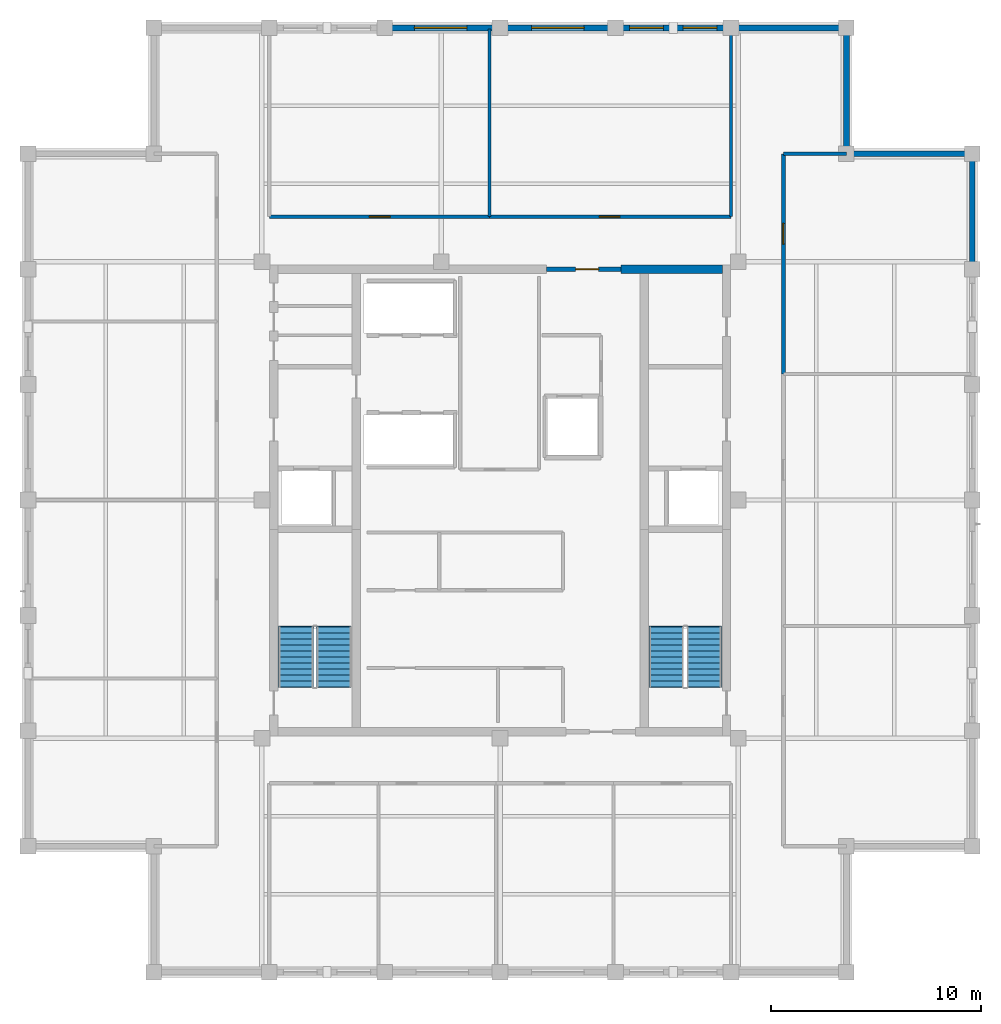
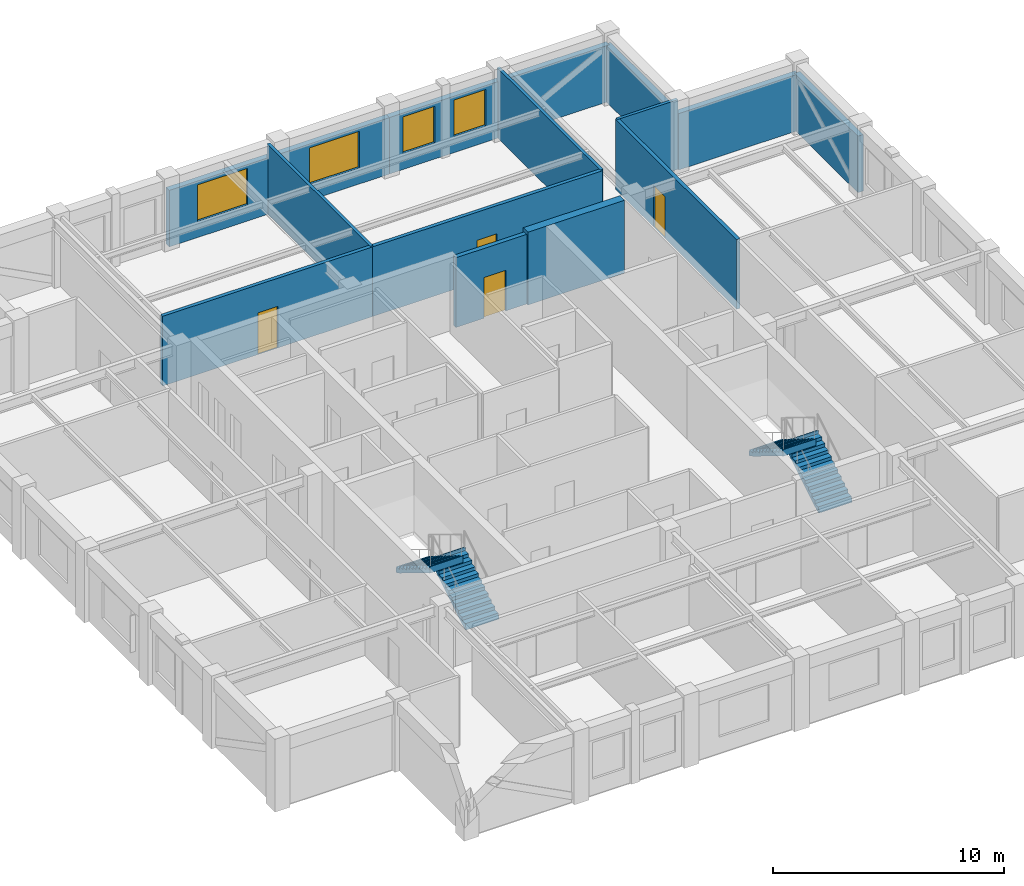
# One storey, part 8 of 9: 15 walls, 4 doors, 4 stair flights, 4 windows, 8 openings, 2 elements without a shape of their own.
"""IFC4 building model written with IfcOpenShell, lengths in metres."""

from ifc_helpers import new_model, si_unit, direction, frame, frame_2d, origin, place, context, subcontext, project, spatial, polyline, rectangle, outline, extrude, material, layer, layer_set, type_object, element, fill, aggregate, save


model = new_model("IFC4")

# Units and contexts
model_context = context("Model", 3, precision=1e-05, world=origin(), true_north=direction((0.0, 1.0)))
body_context = subcontext(model_context, "Body", "Model", "MODEL_VIEW")
ifc_project = project(units=[si_unit("LENGTHUNIT", "METRE"), si_unit("AREAUNIT", "SQUARE_METRE"), si_unit("VOLUMEUNIT", "CUBIC_METRE"), si_unit("PLANEANGLEUNIT", "RADIAN"), si_unit("MASSUNIT", "GRAM", prefix="KILO")], contexts=[model_context])

# Site, building, storey
site_placement = place(None, origin())
site = spatial("IfcSite", under=ifc_project, at=site_placement, CompositionType="ELEMENT")
building_placement = place(site_placement, origin())
building = spatial("IfcBuilding", under=site, at=building_placement, Name="Nhamokura Convention Tower", CompositionType="ELEMENT")
storey_placement = place(building_placement, frame((0.0, 0.0, 269.85009765625)))
storey = spatial("IfcBuildingStorey", under=building, at=storey_placement, Name="L66", CompositionType="ELEMENT", Elevation=269.85009765625)

# Wall, opening, window
ifc_material_1 = material(Name="Bronze-pigmented precast concrete C45/55", Category="concrete")
ifc_layer_1 = layer(ifc_material_1, 0.280029296875)
ifc_layer_set_1 = layer_set([ifc_layer_1], Name="BronzePrecastSpandrel_280")
wall_type_1 = type_object("IfcWallType", Name="BronzePrecastSpandrel_280", PredefinedType="USERDEFINED", material=ifc_layer_set_1)
wall_1_placement = place(storey_placement, frame((26.5, 54.5, 0.0), z_axis=(0.0, 0.0, 1.0), x_axis=(1.0, 0.0, 0.0)))
wall_1 = element("IfcWall", 1, at=wall_1_placement, inside=storey, type_object=wall_type_1, Name="L66 Masonry-Frame Wall NORTH 2", ObjectType="SPANDREL_WALL", PredefinedType="USERDEFINED", context=body_context, shape_type="SweptSolid", body=[
    extrude(rectangle(XDim=5.5, YDim=0.280029296875, at=frame_2d((2.75, 0.0))), origin(), (0.0, 0.0, 1.0), 2.98486328125),
])
opening_1_placement = place(wall_1_placement, frame((1.41259765625, 0.0, 0.85009765625)))
opening_1 = element("IfcOpeningElement", 2, at=opening_1_placement, cuts=wall_1, Name="Opening W-09", PredefinedType="OPENING", context=body_context, shape_type="SweptSolid", body=[
    extrude(rectangle(XDim=2.5, YDim=1.93505859375, at=frame_2d((1.25, 0.967529296875))), frame((0.0, 0.14990234375, 0.0), z_axis=(0.0, -1.0, 0.0), x_axis=(1.0, 0.0, 0.0)), (0.0, 0.0, 1.0), 0.300048828125),
])
ifc_material_2 = material(Name="Solar-control bronze low-E double glass", Category="glass")
window_type_1 = type_object("IfcWindowType", Name="SummitWindow_Z4_2500", PartitioningType="DOUBLE_PANEL_VERTICAL", PredefinedType="WINDOW", material=ifc_material_2)
window_1_placement = place(opening_1_placement, origin())
window_1 = element("IfcWindow", 3, at=window_1_placement, inside=storey, type_object=window_type_1, Name="L66 Facade Window NORTH 2", OverallHeight=1.93505859375, OverallWidth=2.5, PartitioningType="SINGLE_PANEL", PredefinedType="WINDOW", context=body_context, shape_type="SweptSolid", body=[
    extrude(rectangle(XDim=2.5, YDim=1.93505859375, at=frame_2d((1.25, 0.967529296875))), frame((0.0, 0.030029296875, 0.0), z_axis=(0.0, -1.0, 0.0), x_axis=(1.0, 0.0, 0.0)), (0.0, 0.0, 1.0), 0.06005859375),
])
fill(opening_1, window_1)

wall_2_placement = place(storey_placement, frame((32.0, 54.5, 0.0), z_axis=(0.0, 0.0, 1.0), x_axis=(1.0, 0.0, 0.0)))
wall_2 = element("IfcWall", 4, at=wall_2_placement, inside=storey, type_object=wall_type_1, Name="L66 Masonry-Frame Wall NORTH 3", ObjectType="SPANDREL_WALL", PredefinedType="USERDEFINED", context=body_context, shape_type="SweptSolid", body=[
    extrude(rectangle(XDim=5.5, YDim=0.280029296875, at=frame_2d((2.75, 0.0))), origin(), (0.0, 0.0, 1.0), 2.98486328125),
])
opening_2_placement = place(wall_2_placement, frame((1.5, 0.0, 0.85009765625)))
opening_2 = element("IfcOpeningElement", 5, at=opening_2_placement, cuts=wall_2, Name="Opening W-09", PredefinedType="OPENING", context=body_context, shape_type="SweptSolid", body=[
    extrude(rectangle(XDim=2.5, YDim=1.93505859375, at=frame_2d((1.25, 0.967529296875))), frame((0.0, 0.14990234375, 0.0), z_axis=(0.0, -1.0, 0.0), x_axis=(1.0, 0.0, 0.0)), (0.0, 0.0, 1.0), 0.300048828125),
])
window_2_placement = place(opening_2_placement, origin())
window_2 = element("IfcWindow", 6, at=window_2_placement, inside=storey, type_object=window_type_1, Name="L66 Facade Window NORTH 3", OverallHeight=1.93505859375, OverallWidth=2.5, PartitioningType="SINGLE_PANEL", PredefinedType="WINDOW", context=body_context, shape_type="SweptSolid", body=[
    extrude(rectangle(XDim=2.5, YDim=1.93505859375, at=frame_2d((1.25, 0.967529296875))), frame((0.0, 0.030029296875, 0.0), z_axis=(0.0, -1.0, 0.0), x_axis=(1.0, 0.0, 0.0)), (0.0, 0.0, 1.0), 0.06005859375),
])
fill(opening_2, window_2)

# Wall, openings, windows
wall_3_placement = place(storey_placement, frame((37.5, 54.5, 0.0), z_axis=(0.0, 0.0, 1.0), x_axis=(1.0, 0.0, 0.0)))
wall_3 = element("IfcWall", 7, at=wall_3_placement, inside=storey, type_object=wall_type_1, Name="L66 Masonry-Frame Wall NORTH 4", ObjectType="SPANDREL_WALL", PredefinedType="USERDEFINED", context=body_context, shape_type="SweptSolid", body=[
    extrude(rectangle(XDim=5.5, YDim=0.280029296875, at=frame_2d((2.75, 0.0))), origin(), (0.0, 0.0, 1.0), 2.98486328125),
])
opening_3_placement = place(wall_3_placement, frame((0.675048828125, 0.0, 0.85009765625)))
opening_3 = element("IfcOpeningElement", 8, at=opening_3_placement, cuts=wall_3, Name="Opening W-11", PredefinedType="OPENING", context=body_context, shape_type="SweptSolid", body=[
    extrude(rectangle(XDim=1.60009765625, YDim=1.93505859375, at=frame_2d((0.800048828125, 0.967529296875))), frame((0.0, 0.14990234375, 0.0), z_axis=(0.0, -1.0, 0.0), x_axis=(1.0, 0.0, 0.0)), (0.0, 0.0, 1.0), 0.300048828125),
])
opening_4_placement = place(wall_3_placement, frame((3.22509765625, 0.0, 0.85009765625)))
opening_4 = element("IfcOpeningElement", 9, at=opening_4_placement, cuts=wall_3, Name="Opening W-11", PredefinedType="OPENING", context=body_context, shape_type="SweptSolid", body=[
    extrude(rectangle(XDim=1.60009765625, YDim=1.93505859375, at=frame_2d((0.800048828125, 0.967529296875))), frame((0.0, 0.14990234375, 0.0), z_axis=(0.0, -1.0, 0.0), x_axis=(1.0, 0.0, 0.0)), (0.0, 0.0, 1.0), 0.300048828125),
])
ifc_material_3 = material(Name="Solar-control bronze low-E double glass", Category="glass")
window_type_2 = type_object("IfcWindowType", Name="NotchCornerWindow_1600", PartitioningType="SINGLE_PANEL", PredefinedType="WINDOW", material=ifc_material_3)
window_3_placement = place(opening_3_placement, origin())
window_3 = element("IfcWindow", 10, at=window_3_placement, inside=storey, type_object=window_type_2, Name="L66 Facade Window NORTH 4-1", OverallHeight=1.93505859375, OverallWidth=1.60009765625, PartitioningType="SINGLE_PANEL", PredefinedType="WINDOW", context=body_context, shape_type="SweptSolid", body=[
    extrude(rectangle(XDim=1.60009765625, YDim=1.93505859375, at=frame_2d((0.800048828125, 0.967529296875))), frame((0.0, 0.030029296875, 0.0), z_axis=(0.0, -1.0, 0.0), x_axis=(1.0, 0.0, 0.0)), (0.0, 0.0, 1.0), 0.06005859375),
])
fill(opening_3, window_3)
window_4_placement = place(opening_4_placement, origin())
window_4 = element("IfcWindow", 11, at=window_4_placement, inside=storey, type_object=window_type_2, Name="L66 Facade Window NORTH 4-2", OverallHeight=1.93505859375, OverallWidth=1.60009765625, PartitioningType="SINGLE_PANEL", PredefinedType="WINDOW", context=body_context, shape_type="SweptSolid", body=[
    extrude(rectangle(XDim=1.60009765625, YDim=1.93505859375, at=frame_2d((0.800048828125, 0.967529296875))), frame((0.0, 0.030029296875, 0.0), z_axis=(0.0, -1.0, 0.0), x_axis=(1.0, 0.0, 0.0)), (0.0, 0.0, 1.0), 0.06005859375),
])
fill(opening_4, window_4)

# Walls
for number, where, z_axis, x_axis, name in (
    (12, (43.0, 54.5, 0.0), (0.0, 0.0, 1.0), (1.0, 0.0, 0.0), "L66 Braced-Bay Precast Wall NORTH 5"),
    (13, (54.5, 48.5, 0.0), (0.0, 0.0, 1.0), (0.0, -1.0, 0.0), "L66 Braced-Bay Precast Wall EAST 5"),
):
    element("IfcWall", number, at=place(storey_placement, frame(where, z_axis=z_axis, x_axis=x_axis)), inside=storey, type_object=wall_type_1, Name=name, ObjectType="SPANDREL_WALL", PredefinedType="USERDEFINED", context=body_context, shape_type="SweptSolid", body=[
        extrude(rectangle(XDim=5.5, YDim=0.280029296875, at=frame_2d((2.75, 0.0))), origin(), (0.0, 0.0, 1.0), 2.98486328125),
    ])
for number, where, z_axis, x_axis, name in (
    (14, (48.5, 48.5, 0.0), (0.0, 0.0, 1.0), (1.0, 0.0, 0.0), "L66 Notched Corner Wall NE1"),
    (15, (48.5, 54.5, 0.0), (0.0, 0.0, 1.0), (0.0, -1.0, 0.0), "L66 Notched Corner Wall NE2"),
):
    element("IfcWall", number, at=place(storey_placement, frame(where, z_axis=z_axis, x_axis=x_axis)), inside=storey, type_object=wall_type_1, Name=name, ObjectType="SPANDREL_WALL", PredefinedType="USERDEFINED", context=body_context, shape_type="SweptSolid", body=[
        extrude(rectangle(XDim=6.0, YDim=0.280029296875, at=frame_2d((3.0, 0.0))), origin(), (0.0, 0.0, 1.0), 2.98486328125),
    ])
ifc_material_4 = material(Name="Concrete C50/60", Category="concrete")
ifc_layer_2 = layer(ifc_material_4, 0.39990234375)
ifc_layer_set_2 = layer_set([ifc_layer_2], Name="CoreShearWall_400")
wall_type_2 = type_object("IfcWallType", Name="CoreShearWall_400", PredefinedType="SHEAR", material=ifc_layer_set_2)
wall_4_placement = place(storey_placement, frame((37.75, 43.0, 0.0), z_axis=(0.0, 0.0, 1.0), x_axis=(1.0, 0.0, 0.0)))
element("IfcWall", 16, at=wall_4_placement, inside=storey, type_object=wall_type_2, Name="L66 Core Shear Wall CW-N2", PredefinedType="SHEAR", context=body_context, shape_type="SweptSolid", body=[
    extrude(rectangle(XDim=4.840087890625, YDim=0.39990234375, at=frame_2d((2.419921875, 0.0))), origin(), (0.0, 0.0, 1.0), 3.849853515625),
])

# Wall, opening, door
ifc_material_5 = material(Name="Fire-rated gypsum and masonry partition", Category="masonry")
ifc_layer_3 = layer(ifc_material_5, 0.179931640625)
ifc_layer_set_3 = layer_set([ifc_layer_3], Name="CorridorRatedWall_180")
wall_type_3 = type_object("IfcWallType", Name="CorridorRatedWall_180", PredefinedType="STANDARD", material=ifc_layer_set_3)
wall_5_placement = place(storey_placement, frame((21.0, 45.5, 0.0), z_axis=(0.0, 0.0, 1.0), x_axis=(1.0, 0.0, 0.0)))
wall_5 = element("IfcWall", 17, at=wall_5_placement, inside=storey, type_object=wall_type_3, Name="L66 Wall INT-L66-CW-N00", PredefinedType="STANDARD", context=body_context, shape_type="SweptSolid", body=[
    extrude(rectangle(XDim=10.5, YDim=0.179931640625, at=frame_2d((5.25, 0.0))), origin(), (0.0, 0.0, 1.0), 3.684814453125),
])
opening_5_placement = place(wall_5_placement, frame((4.77490234375, 0.0, 0.0)))
opening_5 = element("IfcOpeningElement", 18, at=opening_5_placement, cuts=wall_5, Name="Opening D-08", PredefinedType="OPENING", context=body_context, shape_type="SweptSolid", body=[
    extrude(rectangle(XDim=0.97998046875, YDim=2.199951171875, at=frame_2d((0.489990234375, 1.10009765625))), frame((0.0, 0.099853515625, 0.0), z_axis=(0.0, -1.0, 0.0), x_axis=(1.0, 0.0, 0.0)), (0.0, 0.0, 1.0), 0.199951171875),
])
ifc_material_6 = material(Name="Solid oak hardwood", Category="wood")
door_type_1 = type_object("IfcDoorType", Name="OfficeEntryDoor_980", OperationType="NOTDEFINED", PredefinedType="DOOR", material=ifc_material_6)
door_1_placement = place(opening_5_placement, origin())
door_1 = element("IfcDoor", 19, at=door_1_placement, inside=storey, type_object=door_type_1, Name="L66 Meeting Room N01 Door", OperationType="SINGLE_SWING_LEFT", OverallHeight=2.199951171875, OverallWidth=0.97998046875, PredefinedType="DOOR", context=body_context, shape_type="SweptSolid", body=[
    extrude(rectangle(XDim=0.97998046875, YDim=2.199951171875, at=frame_2d((0.489990234375, 1.10009765625))), frame((0.0, 0.02490234375, 0.0), z_axis=(0.0, -1.0, 0.0), x_axis=(1.0, 0.0, 0.0)), (0.0, 0.0, 1.0), 0.050048828125),
])
fill(opening_5, door_1)

wall_6_placement = place(storey_placement, frame((31.5, 45.5, 0.0), z_axis=(0.0, 0.0, 1.0), x_axis=(1.0, 0.0, 0.0)))
wall_6 = element("IfcWall", 20, at=wall_6_placement, inside=storey, type_object=wall_type_3, Name="L66 Wall INT-L66-CW-N01", PredefinedType="STANDARD", context=body_context, shape_type="SweptSolid", body=[
    extrude(rectangle(XDim=11.5, YDim=0.179931640625, at=frame_2d((5.75, 0.0))), origin(), (0.0, 0.0, 1.0), 3.684814453125),
])
opening_6_placement = place(wall_6_placement, frame((5.22509765625, 0.0, 0.0)))
opening_6 = element("IfcOpeningElement", 21, at=opening_6_placement, cuts=wall_6, Name="Opening D-08", PredefinedType="OPENING", context=body_context, shape_type="SweptSolid", body=[
    extrude(rectangle(XDim=0.97998046875, YDim=2.199951171875, at=frame_2d((0.489990234375, 1.10009765625))), frame((0.0, 0.099853515625, 0.0), z_axis=(0.0, -1.0, 0.0), x_axis=(1.0, 0.0, 0.0)), (0.0, 0.0, 1.0), 0.199951171875),
])
door_2_placement = place(opening_6_placement, origin())
door_2 = element("IfcDoor", 22, at=door_2_placement, inside=storey, type_object=door_type_1, Name="L66 Reference Library N02 Door", OperationType="SINGLE_SWING_RIGHT", OverallHeight=2.199951171875, OverallWidth=0.97998046875, PredefinedType="DOOR", context=body_context, shape_type="SweptSolid", body=[
    extrude(rectangle(XDim=0.97998046875, YDim=2.199951171875, at=frame_2d((0.489990234375, 1.10009765625))), frame((0.0, 0.02490234375, 0.0), z_axis=(0.0, -1.0, 0.0), x_axis=(1.0, 0.0, 0.0)), (0.0, 0.0, 1.0), 0.050048828125),
])
fill(opening_6, door_2)

wall_7_placement = place(storey_placement, frame((45.5, 38.0, 0.0), z_axis=(0.0, 0.0, 1.0), x_axis=(0.0, 1.0, 0.0)))
wall_7 = element("IfcWall", 23, at=wall_7_placement, inside=storey, type_object=wall_type_3, Name="L66 Wall INT-L66-CW-E02", PredefinedType="STANDARD", context=body_context, shape_type="SweptSolid", body=[
    extrude(rectangle(XDim=10.5, YDim=0.179931640625, at=frame_2d((5.25, 0.0))), origin(), (0.0, 0.0, 1.0), 3.684814453125),
])
opening_7_placement = place(wall_7_placement, frame((6.199951171875, 0.0, 0.0)))
opening_7 = element("IfcOpeningElement", 24, at=opening_7_placement, cuts=wall_7, Name="Opening D-08", PredefinedType="OPENING", context=body_context, shape_type="SweptSolid", body=[
    extrude(rectangle(XDim=0.97998046875, YDim=2.199951171875, at=frame_2d((0.489990234375, 1.10009765625))), frame((0.0, 0.099853515625, 0.0), z_axis=(0.0, -1.0, 0.0), x_axis=(1.0, 0.0, 0.0)), (0.0, 0.0, 1.0), 0.199951171875),
])
door_3_placement = place(opening_7_placement, origin())
door_3 = element("IfcDoor", 25, at=door_3_placement, inside=storey, type_object=door_type_1, Name="L66 Private Office E03 Door", OperationType="SINGLE_SWING_LEFT", OverallHeight=2.199951171875, OverallWidth=0.97998046875, PredefinedType="DOOR", context=body_context, shape_type="SweptSolid", body=[
    extrude(rectangle(XDim=0.97998046875, YDim=2.199951171875, at=frame_2d((0.489990234375, 1.10009765625))), frame((0.0, 0.02490234375, 0.0), z_axis=(0.0, -1.0, 0.0), x_axis=(1.0, 0.0, 0.0)), (0.0, 0.0, 1.0), 0.050048828125),
])
fill(opening_7, door_3)

ifc_material_7 = material(Name="Autoclaved concrete blockwork", Category="masonry")
ifc_layer_4 = layer(ifc_material_7, 0.219970703125)
ifc_layer_set_4 = layer_set([ifc_layer_4], Name="FireLobbyWall_220")
wall_type_4 = type_object("IfcWallType", Name="FireLobbyWall_220", PredefinedType="STANDARD", material=ifc_layer_set_4)
wall_8_placement = place(storey_placement, frame((34.199951171875, 43.0, 0.0), z_axis=(0.0, 0.0, 1.0), x_axis=(1.0, 0.0, 0.0)))
wall_8 = element("IfcWall", 26, at=wall_8_placement, inside=storey, type_object=wall_type_4, Name="L66 Wall INT-L66-CPORT-N", PredefinedType="STANDARD", context=body_context, shape_type="SweptSolid", body=[
    extrude(rectangle(XDim=3.550048828125, YDim=0.219970703125, at=frame_2d((1.77490234375, 0.0))), origin(), (0.0, 0.0, 1.0), 3.684814453125),
])
opening_8_placement = place(wall_8_placement, frame((1.39990234375, 0.0, 0.0)))
opening_8 = element("IfcOpeningElement", 27, at=opening_8_placement, cuts=wall_8, Name="Opening D-05", PredefinedType="OPENING", context=body_context, shape_type="SweptSolid", body=[
    extrude(rectangle(XDim=1.10009765625, YDim=2.14990234375, at=frame_2d((0.550048828125, 1.074951171875))), frame((0.0, 0.119873046875, 0.0), z_axis=(0.0, -1.0, 0.0), x_axis=(1.0, 0.0, 0.0)), (0.0, 0.0, 1.0), 0.239990234375),
])
ifc_material_8 = material(Name="Fire-rated steel door", Category="steel")
door_type_2 = type_object("IfcDoorType", Name="FireLobbyDoor_1100", OperationType="NOTDEFINED", PredefinedType="DOOR", material=ifc_material_8)
door_4_placement = place(opening_8_placement, origin())
door_4 = element("IfcDoor", 28, at=door_4_placement, inside=storey, type_object=door_type_2, Name="L66 North Core Lobby Portal Door", OperationType="SINGLE_SWING_RIGHT", OverallHeight=2.14990234375, OverallWidth=1.10009765625, PredefinedType="DOOR", context=body_context, shape_type="SweptSolid", body=[
    extrude(rectangle(XDim=1.10009765625, YDim=2.14990234375, at=frame_2d((0.550048828125, 1.074951171875))), frame((0.0, 0.02490234375, 0.0), z_axis=(0.0, -1.0, 0.0), x_axis=(1.0, 0.0, 0.0)), (0.0, 0.0, 1.0), 0.050048828125),
])
fill(opening_8, door_4)

# Walls
ifc_material_9 = material(Name="Acoustic gypsum stud partition", Category="masonry")
ifc_layer_5 = layer(ifc_material_9, 0.14990234375)
ifc_layer_set_5 = layer_set([ifc_layer_5], Name="InteriorPartition_150")
wall_type_5 = type_object("IfcWallType", Name="InteriorPartition_150", PredefinedType="STANDARD", material=ifc_layer_set_5)
for number, where, z_axis, x_axis, name in (
    (29, (43.0, 45.5, 0.0), (0.0, 0.0, 1.0), (0.0, 1.0, 0.0), "L66 Wall INT-L66-RWR-N"),
    (30, (31.5, 45.5, 0.0), (0.0, 0.0, 1.0), (0.0, 1.0, 0.0), "L66 Wall INT-L66-RW-N01"),
):
    element("IfcWall", number, at=place(storey_placement, frame(where, z_axis=z_axis, x_axis=x_axis)), inside=storey, type_object=wall_type_5, Name=name, PredefinedType="STANDARD", context=body_context, shape_type="SweptSolid", body=[
        extrude(rectangle(XDim=8.93994140625, YDim=0.14990234375, at=frame_2d((4.469970703125, 0.0))), origin(), (0.0, 0.0, 1.0), 3.684814453125),
    ])
wall_9_placement = place(storey_placement, frame((45.5, 48.5, 0.0), z_axis=(0.0, 0.0, 1.0), x_axis=(1.0, 0.0, 0.0)))
element("IfcWall", 31, at=wall_9_placement, inside=storey, type_object=wall_type_5, Name="L66 Wall INT-L66-VSTP-EN", PredefinedType="STANDARD", context=body_context, shape_type="SweptSolid", body=[
    extrude(rectangle(XDim=3.0, YDim=0.14990234375, at=frame_2d((1.5, 0.0))), origin(), (0.0, 0.0, 1.0), 3.684814453125),
])

# Stair, stair flights
ifc_material_10 = material(Name="Concrete C40/50", Category="concrete")
stair_type = type_object("IfcStairType", Name="TowerCoreStair_1650", PredefinedType="HALF_TURN_STAIR", material=ifc_material_10)
stair_1_placement = place(storey_placement, origin())
stair_1 = element("IfcStair", 32, at=stair_1_placement, inside=storey, type_object=stair_type, Name="L66 West Core Smokeproof Stair ST-01", PredefinedType="HALF_TURN_STAIR")
ifc_material_11 = material(Name="Concrete C40/50", Category="concrete")
stair_flight_type = type_object("IfcStairFlightType", Name="TowerCoreStair_1650_Flight", PredefinedType="STRAIGHT", material=ifc_material_11)
stair_flight_1_placement = place(storey_placement, frame((24.074951171875, 23.10009765625, 0.0), z_axis=(0.0, 0.0, 1.0), x_axis=(0.0, 1.0, 0.0)))
stair_flight_1 = element("IfcStairFlight", 33, at=stair_flight_1_placement, type_object=stair_flight_type, Name="ST-01 flight 1", NumberOfRisers=11, NumberOfTreads=10, PredefinedType="STRAIGHT", RiserHeight=0.175, TreadLength=0.285, context=body_context, shape_type="SweptSolid", body=[
    extrude(outline(polyline([(-0.0419921875, 0.0), (0.0, 0.175048828125), (0.284912109375, 0.175048828125), (0.284912109375, 0.35009765625), (0.570068359375, 0.35009765625), (0.570068359375, 0.52490234375), (0.85498046875, 0.52490234375), (0.85498046875, 0.699951171875), (1.139892578125, 0.699951171875), (1.139892578125, 0.875), (1.425048828125, 0.875), (1.425048828125, 1.050048828125), (1.7099609375, 1.050048828125), (1.7099609375, 1.22509765625), (1.9951171875, 1.22509765625), (1.9951171875, 1.39990234375), (2.280029296875, 1.39990234375), (2.280029296875, 1.574951171875), (2.56494140625, 1.574951171875), (2.56494140625, 1.75), (2.85009765625, 1.75), (2.85009765625, 1.925048828125), (2.89208984375, 1.925048828125), (2.89208984375, 1.573974609375), (2.85009765625, 1.573974609375), (0.286376953125, 0.0), (0.02001953125, -0.1298828125), (-0.0419921875, -0.1298828125), (-0.0419921875, 0.0)])), frame((0.0, 0.824951171875, 0.0), z_axis=(0.0, -1.0, 0.0), x_axis=(1.0, 0.0, 0.0)), (0.0, 0.0, 1.0), 1.64990234375),
])
stair_flight_2_placement = place(storey_placement, frame((22.27490234375, 25.949951171875, 1.9248046875), z_axis=(0.0, 0.0, 1.0), x_axis=(0.0, -1.0, 0.0)))
stair_flight_2 = element("IfcStairFlight", 34, at=stair_flight_2_placement, type_object=stair_flight_type, Name="ST-01 flight 2", NumberOfRisers=11, NumberOfTreads=10, PredefinedType="STRAIGHT", RiserHeight=0.175, TreadLength=0.285, context=body_context, shape_type="SweptSolid", body=[
    extrude(outline(polyline([(-0.0419921875, 0.0), (0.0, 0.175048828125), (0.284912109375, 0.175048828125), (0.284912109375, 0.35009765625), (0.570068359375, 0.35009765625), (0.570068359375, 0.52490234375), (0.85498046875, 0.52490234375), (0.85498046875, 0.699951171875), (1.139892578125, 0.699951171875), (1.139892578125, 0.875), (1.425048828125, 0.875), (1.425048828125, 1.050048828125), (1.7099609375, 1.050048828125), (1.7099609375, 1.22509765625), (1.9951171875, 1.22509765625), (1.9951171875, 1.39990234375), (2.280029296875, 1.39990234375), (2.280029296875, 1.574951171875), (2.56494140625, 1.574951171875), (2.56494140625, 1.75), (2.85009765625, 1.75), (2.85009765625, 1.925048828125), (2.89208984375, 1.925048828125), (2.89208984375, 1.573974609375), (2.85009765625, 1.573974609375), (0.286376953125, 0.0), (0.02001953125, -0.1298828125), (-0.0419921875, -0.1298828125), (-0.0419921875, 0.0)])), frame((0.0, 0.824951171875, 0.0), z_axis=(0.0, -1.0, 0.0), x_axis=(1.0, 0.0, 0.0)), (0.0, 0.0, 1.0), 1.64990234375),
])
aggregate(stair_1, [stair_flight_1, stair_flight_2])

stair_2_placement = place(storey_placement, origin())
stair_2 = element("IfcStair", 35, at=stair_2_placement, inside=storey, type_object=stair_type, Name="L66 East Core Smokeproof Stair ST-02", PredefinedType="HALF_TURN_STAIR")
stair_flight_3_placement = place(storey_placement, frame((41.72509765625, 23.10009765625, 0.0), z_axis=(0.0, 0.0, 1.0), x_axis=(0.0, 1.0, 0.0)))
stair_flight_3 = element("IfcStairFlight", 36, at=stair_flight_3_placement, type_object=stair_flight_type, Name="ST-02 flight 1", NumberOfRisers=11, NumberOfTreads=10, PredefinedType="STRAIGHT", RiserHeight=0.175, TreadLength=0.285, context=body_context, shape_type="SweptSolid", body=[
    extrude(outline(polyline([(-0.0419921875, 0.0), (0.0, 0.175048828125), (0.284912109375, 0.175048828125), (0.284912109375, 0.35009765625), (0.570068359375, 0.35009765625), (0.570068359375, 0.52490234375), (0.85498046875, 0.52490234375), (0.85498046875, 0.699951171875), (1.139892578125, 0.699951171875), (1.139892578125, 0.875), (1.425048828125, 0.875), (1.425048828125, 1.050048828125), (1.7099609375, 1.050048828125), (1.7099609375, 1.22509765625), (1.9951171875, 1.22509765625), (1.9951171875, 1.39990234375), (2.280029296875, 1.39990234375), (2.280029296875, 1.574951171875), (2.56494140625, 1.574951171875), (2.56494140625, 1.75), (2.85009765625, 1.75), (2.85009765625, 1.925048828125), (2.89208984375, 1.925048828125), (2.89208984375, 1.573974609375), (2.85009765625, 1.573974609375), (0.286376953125, 0.0), (0.02001953125, -0.1298828125), (-0.0419921875, -0.1298828125), (-0.0419921875, 0.0)])), frame((0.0, 0.824951171875, 0.0), z_axis=(0.0, -1.0, 0.0), x_axis=(1.0, 0.0, 0.0)), (0.0, 0.0, 1.0), 1.64990234375),
])
stair_flight_4_placement = place(storey_placement, frame((39.925048828125, 25.949951171875, 1.9248046875), z_axis=(0.0, 0.0, 1.0), x_axis=(0.0, -1.0, 0.0)))
stair_flight_4 = element("IfcStairFlight", 37, at=stair_flight_4_placement, type_object=stair_flight_type, Name="ST-02 flight 2", NumberOfRisers=11, NumberOfTreads=10, PredefinedType="STRAIGHT", RiserHeight=0.175, TreadLength=0.285, context=body_context, shape_type="SweptSolid", body=[
    extrude(outline(polyline([(-0.0419921875, 0.0), (0.0, 0.175048828125), (0.284912109375, 0.175048828125), (0.284912109375, 0.35009765625), (0.570068359375, 0.35009765625), (0.570068359375, 0.52490234375), (0.85498046875, 0.52490234375), (0.85498046875, 0.699951171875), (1.139892578125, 0.699951171875), (1.139892578125, 0.875), (1.425048828125, 0.875), (1.425048828125, 1.050048828125), (1.7099609375, 1.050048828125), (1.7099609375, 1.22509765625), (1.9951171875, 1.22509765625), (1.9951171875, 1.39990234375), (2.280029296875, 1.39990234375), (2.280029296875, 1.574951171875), (2.56494140625, 1.574951171875), (2.56494140625, 1.75), (2.85009765625, 1.75), (2.85009765625, 1.925048828125), (2.89208984375, 1.925048828125), (2.89208984375, 1.573974609375), (2.85009765625, 1.573974609375), (0.286376953125, 0.0), (0.02001953125, -0.1298828125), (-0.0419921875, -0.1298828125), (-0.0419921875, 0.0)])), frame((0.0, 0.824951171875, 0.0), z_axis=(0.0, -1.0, 0.0), x_axis=(1.0, 0.0, 0.0)), (0.0, 0.0, 1.0), 1.64990234375),
])
aggregate(stair_2, [stair_flight_3, stair_flight_4])

save(model, "model.ifc")
